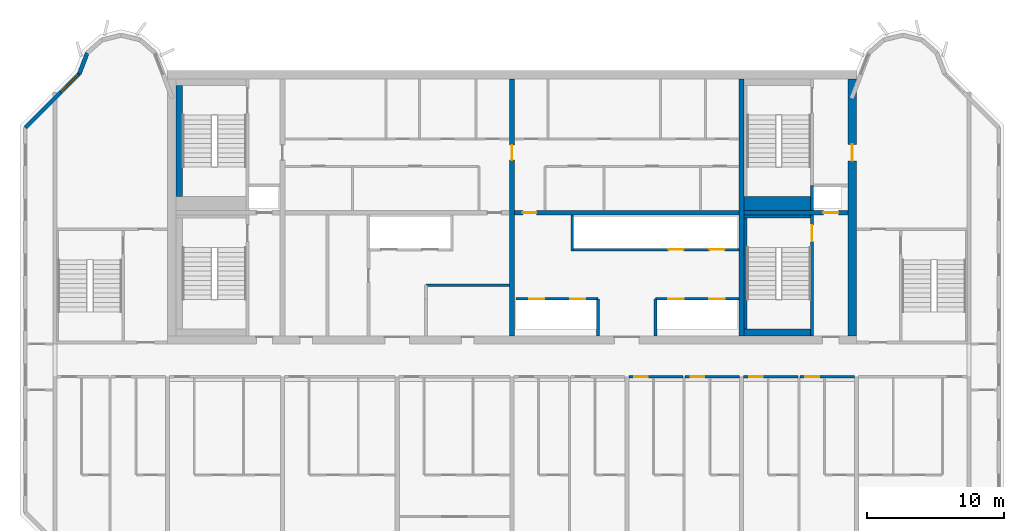
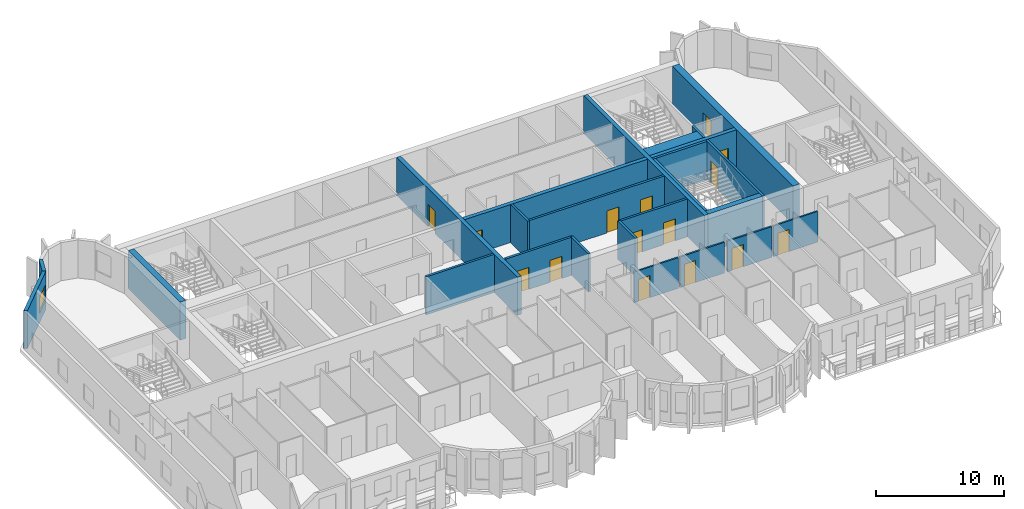
# One storey, part 6 of 11: 25 walls, 15 doors, 1 window, 16 openings.
"""IFC4 building model written with IfcOpenShell, lengths in metres."""

from ifc_helpers import new_model, si_unit, direction, frame, frame_2d, origin, place, context, subcontext, project, spatial, rectangle, extrude, source, transform, mapped, material, layer, layer_set, type_object, element, fill, save


model = new_model("IFC4")

# Units and contexts
model_context = context("Model", 3, precision=1e-05, world=origin(), true_north=direction((0.0, 1.0)))
body_context = subcontext(model_context, "Body", "Model", "MODEL_VIEW")
ifc_project = project(units=[si_unit("LENGTHUNIT", "METRE"), si_unit("AREAUNIT", "SQUARE_METRE"), si_unit("VOLUMEUNIT", "CUBIC_METRE"), si_unit("PLANEANGLEUNIT", "RADIAN"), si_unit("MASSUNIT", "GRAM", prefix="KILO")], contexts=[model_context])

# Site, building, storey
site_placement = place(None, origin())
site = spatial("IfcSite", under=ifc_project, at=site_placement, CompositionType="ELEMENT")
building_placement = place(site_placement, origin())
building = spatial("IfcBuilding", under=site, at=building_placement, Name="Vanashikhar Sky Hotel", CompositionType="ELEMENT")
storey_placement = place(building_placement, frame((0.0, 0.0, 217.89990234375)))
storey = spatial("IfcBuildingStorey", under=building, at=storey_placement, Name="L52", CompositionType="ELEMENT", Elevation=217.89990234375)

# Wall, opening, door
ifc_material_1 = material(Name="Concrete M60", Category="concrete")
ifc_layer_1 = layer(ifc_material_1, 0.60009765625)
ifc_layer_set_1 = layer_set([ifc_layer_1], Name="RC core shell wall 600 Concrete M60")
wall_type_1 = type_object("IfcWallType", Name="RC core shell wall 600 Concrete M60", PredefinedType="SHEAR", material=ifc_layer_set_1)
shared_shape_1 = source(origin(), body_context, "Body", "SweptSolid", [
    extrude(rectangle(XDim=18.7998046875, YDim=0.60009765625, at=frame_2d((9.39990234375, 0.0))), origin(), (0.0, 0.0, 1.0), 3.6201171875),
])
wall_1_placement = place(storey_placement, frame((75.300048828125, 22.60009765625, 0.0), z_axis=(0.0, 0.0, 1.0), x_axis=(0.0, 1.0, 0.0)))
wall_1 = element("IfcWall", 1, at=wall_1_placement, inside=storey, type_object=wall_type_1, Name="KW-L52-KE", PredefinedType="SHEAR", context=body_context, shape_type="MappedRepresentation", body=[
    mapped(shared_shape_1, transform((0.0, 0.0, 0.0), scale=1.0)),
])
shared_shape_2 = source(origin(), body_context, "Body", "SweptSolid", [
    extrude(rectangle(XDim=1.199951171875, YDim=2.10009765625, at=frame_2d((0.60009765625, 1.050048828125))), frame((0.0, 0.31005859375, 0.0), z_axis=(0.0, -1.0, 0.0), x_axis=(1.0, 0.0, 0.0)), (0.0, 0.0, 1.0), 0.6201171875),
])
opening_1_placement = place(wall_1_placement, frame((12.800048828125, 0.0, 0.0)))
opening_1 = element("IfcOpeningElement", 2, at=opening_1_placement, cuts=wall_1, Name="Opening DC-4-D", PredefinedType="OPENING", context=body_context, shape_type="MappedRepresentation", body=[
    mapped(shared_shape_2, transform((0.0, 0.0, 0.0), scale=1.0)),
])
ifc_material_2 = material(Name="Steel", Category="steel")
door_type_1 = type_object("IfcDoorType", Name="Service door 1200 FD120", OperationType="NOTDEFINED", PredefinedType="DOOR", material=ifc_material_2)
shared_shape_3 = source(origin(), body_context, "Body", "SweptSolid", [
    extrude(rectangle(XDim=1.199951171875, YDim=2.10009765625, at=frame_2d((0.60009765625, 1.050048828125))), frame((0.0, 0.02490234375, 0.0), z_axis=(0.0, -1.0, 0.0), x_axis=(1.0, 0.0, 0.0)), (0.0, 0.0, 1.0), 0.050048828125),
])
door_1_placement = place(opening_1_placement, origin())
door_1 = element("IfcDoor", 3, at=door_1_placement, inside=storey, type_object=door_type_1, Name="Service door 1200 FD120", OperationType="SINGLE_SWING_RIGHT", OverallHeight=2.10009765625, OverallWidth=1.199951171875, PredefinedType="DOOR", context=body_context, shape_type="MappedRepresentation", body=[
    mapped(shared_shape_3, transform((0.0, 0.0, 0.0), scale=1.0)),
])
fill(opening_1, door_1)

ifc_layer_2 = layer(ifc_material_1, 0.35009765625)
ifc_layer_set_2 = layer_set([ifc_layer_2], Name="RC core inner wall 350 Concrete M60")
wall_type_2 = type_object("IfcWallType", Name="RC core inner wall 350 Concrete M60", PredefinedType="SHEAR", material=ifc_layer_set_2)
shared_shape_4 = source(origin(), body_context, "Body", "SweptSolid", [
    extrude(rectangle(XDim=18.7998046875, YDim=0.35009765625, at=frame_2d((9.39990234375, 0.0))), origin(), (0.0, 0.0, 1.0), 3.6201171875),
])
wall_2_placement = place(storey_placement, frame((50.39990234375, 22.60009765625, 0.0), z_axis=(0.0, 0.0, 1.0), x_axis=(0.0, 1.0, 0.0)))
wall_2 = element("IfcWall", 4, at=wall_2_placement, inside=storey, type_object=wall_type_2, Name="KW-L52-KX2", PredefinedType="SHEAR", context=body_context, shape_type="MappedRepresentation", body=[
    mapped(shared_shape_4, transform((0.0, 0.0, 0.0), scale=1.0)),
])
shared_shape_5 = source(origin(), body_context, "Body", "SweptSolid", [
    extrude(rectangle(XDim=1.10009765625, YDim=2.10009765625, at=frame_2d((0.550048828125, 1.050048828125))), frame((0.0, 0.18505859375, 0.0), z_axis=(0.0, -1.0, 0.0), x_axis=(1.0, 0.0, 0.0)), (0.0, 0.0, 1.0), 0.3701171875),
])
opening_2_placement = place(wall_2_placement, frame((12.85009765625, 0.0, 0.0)))
opening_2 = element("IfcOpeningElement", 5, at=opening_2_placement, cuts=wall_2, Name="Opening DC-4-C", PredefinedType="OPENING", context=body_context, shape_type="MappedRepresentation", body=[
    mapped(shared_shape_5, transform((0.0, 0.0, 0.0), scale=1.0)),
])
door_type_2 = type_object("IfcDoorType", Name="Service door 1100 FD60", OperationType="NOTDEFINED", PredefinedType="DOOR", material=ifc_material_2)
shared_shape_6 = source(origin(), body_context, "Body", "SweptSolid", [
    extrude(rectangle(XDim=1.10009765625, YDim=2.10009765625, at=frame_2d((0.550048828125, 1.050048828125))), frame((0.0, 0.02490234375, 0.0), z_axis=(0.0, -1.0, 0.0), x_axis=(1.0, 0.0, 0.0)), (0.0, 0.0, 1.0), 0.050048828125),
])
door_2_placement = place(opening_2_placement, origin())
door_2 = element("IfcDoor", 6, at=door_2_placement, inside=storey, type_object=door_type_2, Name="Service door 1100 FD60", OperationType="SINGLE_SWING_LEFT", OverallHeight=2.10009765625, OverallWidth=1.10009765625, PredefinedType="DOOR", context=body_context, shape_type="MappedRepresentation", body=[
    mapped(shared_shape_6, transform((0.0, 0.0, 0.0), scale=1.0)),
])
fill(opening_2, door_2)

# Wall
wall_3_placement = place(storey_placement, frame((67.199951171875, 22.60009765625, 0.0), z_axis=(0.0, 0.0, 1.0), x_axis=(0.0, 1.0, 0.0)))
element("IfcWall", 7, at=wall_3_placement, inside=storey, type_object=wall_type_2, Name="KW-L52-KX3", PredefinedType="SHEAR", context=body_context, shape_type="MappedRepresentation", body=[
    mapped(shared_shape_4, transform((0.0, 0.0, 0.0), scale=1.0)),
])

# Wall, opening, door
shared_shape_7 = source(origin(), body_context, "Body", "SweptSolid", [
    extrude(rectangle(XDim=7.625, YDim=0.35009765625, at=frame_2d((3.8125, 0.0))), origin(), (0.0, 0.0, 1.0), 3.6201171875),
])
wall_4_placement = place(storey_placement, frame((67.375, 31.60009765625, 0.0), z_axis=(0.0, 0.0, 1.0), x_axis=(1.0, 0.0, 0.0)))
wall_4 = element("IfcWall", 8, at=wall_4_placement, inside=storey, type_object=wall_type_2, Name="KW-L52-KY4", PredefinedType="SHEAR", context=body_context, shape_type="MappedRepresentation", body=[
    mapped(shared_shape_7, transform((0.0, 0.0, 0.0), scale=1.0)),
])
opening_3_placement = place(wall_4_placement, frame((5.800048828125, 0.0, 0.0)))
opening_3 = element("IfcOpeningElement", 9, at=opening_3_placement, cuts=wall_4, Name="Opening LD", PredefinedType="OPENING", context=body_context, shape_type="MappedRepresentation", body=[
    mapped(shared_shape_5, transform((0.0, 0.0, 0.0), scale=1.0)),
])
ifc_material_3 = material(Name="Stainless steel", Category="steel")
door_type_3 = type_object("IfcDoorType", Name="Lift landing door 1100", OperationType="NOTDEFINED", PredefinedType="DOOR", material=ifc_material_3)
door_3_placement = place(opening_3_placement, origin())
door_3 = element("IfcDoor", 10, at=door_3_placement, inside=storey, type_object=door_type_3, Name="Lift landing door 1100", OperationType="SLIDING_TO_LEFT", OverallHeight=2.10009765625, OverallWidth=1.10009765625, PredefinedType="DOOR", context=body_context, shape_type="MappedRepresentation", body=[
    mapped(shared_shape_6, transform((0.0, 0.0, 0.0), scale=1.0)),
])
fill(opening_3, door_3)

shared_shape_8 = source(origin(), body_context, "Body", "SweptSolid", [
    extrude(rectangle(XDim=16.449951171875, YDim=0.35009765625, at=frame_2d((8.22509765625, 0.0))), origin(), (0.0, 0.0, 1.0), 3.6201171875),
])
wall_5_placement = place(storey_placement, frame((50.574951171875, 31.60009765625, 0.0), z_axis=(0.0, 0.0, 1.0), x_axis=(1.0, 0.0, 0.0)))
wall_5 = element("IfcWall", 11, at=wall_5_placement, inside=storey, type_object=wall_type_2, Name="KW-L52-KY3", PredefinedType="SHEAR", context=body_context, shape_type="MappedRepresentation", body=[
    mapped(shared_shape_8, transform((0.0, 0.0, 0.0), scale=1.0)),
])
shared_shape_9 = source(origin(), body_context, "Body", "SweptSolid", [
    extrude(rectangle(XDim=1.0, YDim=2.10009765625, at=frame_2d((0.5, 1.050048828125))), frame((0.0, 0.18505859375, 0.0), z_axis=(0.0, -1.0, 0.0), x_axis=(1.0, 0.0, 0.0)), (0.0, 0.0, 1.0), 0.3701171875),
])
opening_4_placement = place(wall_5_placement, frame((0.613037109375, 0.0, 0.0)))
opening_4 = element("IfcOpeningElement", 12, at=opening_4_placement, cuts=wall_5, Name="Opening DC-4", PredefinedType="OPENING", context=body_context, shape_type="MappedRepresentation", body=[
    mapped(shared_shape_9, transform((0.0, 0.0, 0.0), scale=1.0)),
])
door_type_4 = type_object("IfcDoorType", Name="Service door 1000 FD60", OperationType="NOTDEFINED", PredefinedType="DOOR", material=ifc_material_2)
shared_shape_10 = source(origin(), body_context, "Body", "SweptSolid", [
    extrude(rectangle(XDim=1.0, YDim=2.10009765625, at=frame_2d((0.5, 1.050048828125))), frame((0.0, 0.02490234375, 0.0), z_axis=(0.0, -1.0, 0.0), x_axis=(1.0, 0.0, 0.0)), (0.0, 0.0, 1.0), 0.050048828125),
])
door_4_placement = place(opening_4_placement, origin())
door_4 = element("IfcDoor", 13, at=door_4_placement, inside=storey, type_object=door_type_4, Name="Service door 1000 FD60", OperationType="SINGLE_SWING_RIGHT", OverallHeight=2.10009765625, OverallWidth=1.0, PredefinedType="DOOR", context=body_context, shape_type="MappedRepresentation", body=[
    mapped(shared_shape_10, transform((0.0, 0.0, 0.0), scale=1.0)),
])
fill(opening_4, door_4)

# Wall, opening, window
ifc_material_4 = material(Name="Concrete M50", Category="concrete")
ifc_layer_3 = layer(ifc_material_4, 0.300048828125)
ifc_layer_set_3 = layer_set([ifc_layer_3], Name="Lobe wall 300")
wall_type_3 = type_object("IfcWallType", Name="Lobe wall 300", PredefinedType="SOLIDWALL", material=ifc_layer_set_3)
shared_shape_11 = source(origin(), body_context, "Body", "SweptSolid", [
    extrude(rectangle(XDim=5.576416015625, YDim=0.300048828125, at=frame_2d((2.7880859375, 0.0))), origin(), (0.0, 0.0, 1.0), 3.6201171875),
])
wall_6_placement = place(storey_placement, frame((18.7431640625, 41.77734375, 0.0), z_axis=(0.0, 0.0, 1.0), x_axis=(-0.707106781187, -0.707106781187, 0.0)))
wall_6 = element("IfcWall", 14, at=wall_6_placement, inside=storey, type_object=wall_type_3, Name="Corner wall", PredefinedType="SOLIDWALL", context=body_context, shape_type="MappedRepresentation", body=[
    mapped(shared_shape_11, transform((0.0, 0.0, 0.0), scale=1.0)),
])
shared_shape_12 = source(origin(), body_context, "Body", "SweptSolid", [
    extrude(rectangle(XDim=1.800048828125, YDim=1.5, at=frame_2d((0.89990234375, 0.75))), frame((0.0, 0.16015625, 0.0), z_axis=(0.0, -1.0, 0.0), x_axis=(1.0, 0.0, 0.0)), (0.0, 0.0, 1.0), 0.320068359375),
])
opening_5_placement = place(wall_6_placement, frame((0.117919921875, 0.0, 0.89990234375)))
opening_5 = element("IfcOpeningElement", 15, at=opening_5_placement, cuts=wall_6, Name="Opening WN-4", PredefinedType="OPENING", context=body_context, shape_type="MappedRepresentation", body=[
    mapped(shared_shape_12, transform((0.0, 0.0, 0.0), scale=1.0)),
])
ifc_material_5 = material(Name="Glass", Category="glass")
window_type = type_object("IfcWindowType", Name="Corner window 1800 x 1500", PartitioningType="SINGLE_PANEL", PredefinedType="WINDOW", material=ifc_material_5)
shared_shape_13 = source(origin(), body_context, "Body", "SweptSolid", [
    extrude(rectangle(XDim=1.800048828125, YDim=1.5, at=frame_2d((0.89990234375, 0.75))), frame((0.0, 0.030029296875, 0.0), z_axis=(0.0, -1.0, 0.0), x_axis=(1.0, 0.0, 0.0)), (0.0, 0.0, 1.0), 0.06005859375),
])
window_placement = place(opening_5_placement, origin())
window = element("IfcWindow", 16, at=window_placement, inside=storey, type_object=window_type, Name="Window WN-4", OverallHeight=1.5, OverallWidth=1.800048828125, PartitioningType="SINGLE_PANEL", PredefinedType="WINDOW", context=body_context, shape_type="MappedRepresentation", body=[
    mapped(shared_shape_13, transform((0.0, 0.0, 0.0), scale=1.0)),
])
fill(opening_5, window)

# Wall
shared_shape_14 = source(origin(), body_context, "Body", "SweptSolid", [
    extrude(rectangle(XDim=1.6220703125, YDim=0.300048828125, at=frame_2d((0.81103515625, 0.0))), origin(), (0.0, 0.0, 1.0), 3.6201171875),
])
wall_7_placement = place(storey_placement, frame((19.323486328125, 43.2919921875, 0.0), z_axis=(0.0, 0.0, 1.0), x_axis=(-0.357778527068, -0.933806471154, 0.0)))
element("IfcWall", 17, at=wall_7_placement, inside=storey, type_object=wall_type_3, Name="Lobe wall", PredefinedType="SOLIDWALL", context=body_context, shape_type="MappedRepresentation", body=[
    mapped(shared_shape_14, transform((0.0, 0.0, 0.0), scale=1.0)),
])

# Wall, openings, doors
ifc_material_6 = material(Name="Concrete M40", Category="concrete")
ifc_layer_4 = layer(ifc_material_6, 0.199951171875)
ifc_layer_set_4 = layer_set([ifc_layer_4], Name="Shaft wall 200")
wall_type_4 = type_object("IfcWallType", Name="Shaft wall 200", PredefinedType="SOLIDWALL", material=ifc_layer_set_4)
shared_shape_15 = source(origin(), body_context, "Body", "SweptSolid", [
    extrude(rectangle(XDim=6.0, YDim=0.199951171875, at=frame_2d((3.0, 0.0))), origin(), (0.0, 0.0, 1.0), 3.6201171875),
])
wall_8_placement = place(storey_placement, frame((56.699951171875, 25.300048828125, 0.0), z_axis=(0.0, 0.0, 1.0), x_axis=(-1.0, 0.0, 0.0)))
wall_8 = element("IfcWall", 18, at=wall_8_placement, inside=storey, type_object=wall_type_4, Name="Shaft wall 200", PredefinedType="SOLIDWALL", context=body_context, shape_type="MappedRepresentation", body=[
    mapped(shared_shape_15, transform((0.0, 0.0, 0.0), scale=1.0)),
])
shared_shape_16 = source(origin(), body_context, "Body", "SweptSolid", [
    extrude(rectangle(XDim=1.10009765625, YDim=2.10009765625, at=frame_2d((0.550048828125, 1.050048828125))), frame((0.0, 0.10986328125, 0.0), z_axis=(0.0, -1.0, 0.0), x_axis=(1.0, 0.0, 0.0)), (0.0, 0.0, 1.0), 0.219970703125),
])
opening_6_placement = place(wall_8_placement, frame((0.949951171875, 0.0, 0.0)))
opening_6 = element("IfcOpeningElement", 19, at=opening_6_placement, cuts=wall_8, Name="Opening LD", PredefinedType="OPENING", context=body_context, shape_type="MappedRepresentation", body=[
    mapped(shared_shape_16, transform((0.0, 0.0, 0.0), scale=1.0)),
])
opening_7_placement = place(wall_8_placement, frame((3.949951171875, 0.0, 0.0)))
opening_7 = element("IfcOpeningElement", 20, at=opening_7_placement, cuts=wall_8, Name="Opening LD", PredefinedType="OPENING", context=body_context, shape_type="MappedRepresentation", body=[
    mapped(shared_shape_16, transform((0.0, 0.0, 0.0), scale=1.0)),
])
door_5_placement = place(opening_6_placement, origin())
door_5 = element("IfcDoor", 21, at=door_5_placement, inside=storey, type_object=door_type_3, Name="Lift landing door 1100", OperationType="SLIDING_TO_RIGHT", OverallHeight=2.10009765625, OverallWidth=1.10009765625, PredefinedType="DOOR", context=body_context, shape_type="MappedRepresentation", body=[
    mapped(shared_shape_6, transform((0.0, 0.0, 0.0), scale=1.0)),
])
fill(opening_6, door_5)
door_6_placement = place(opening_7_placement, origin())
door_6 = element("IfcDoor", 22, at=door_6_placement, inside=storey, type_object=door_type_3, Name="Lift landing door 1100", OperationType="SLIDING_TO_LEFT", OverallHeight=2.10009765625, OverallWidth=1.10009765625, PredefinedType="DOOR", context=body_context, shape_type="MappedRepresentation", body=[
    mapped(shared_shape_6, transform((0.0, 0.0, 0.0), scale=1.0)),
])
fill(opening_7, door_6)

# Walls
shared_shape_17 = source(origin(), body_context, "Body", "SweptSolid", [
    extrude(rectangle(XDim=2.699951171875, YDim=0.199951171875, at=frame_2d((1.35009765625, 0.0))), origin(), (0.0, 0.0, 1.0), 3.6201171875),
])
for number, where, z_axis, x_axis, name in (
    (23, (60.89990234375, 22.60009765625, 0.0), (0.0, 0.0, 1.0), (0.0, 1.0, 0.0), "Shaft wall 200"),
    (24, (56.699951171875, 22.60009765625, 0.0), (0.0, 0.0, 1.0), (0.0, 1.0, 0.0), "Shaft wall 200"),
):
    element("IfcWall", number, at=place(storey_placement, frame(where, z_axis=z_axis, x_axis=x_axis)), inside=storey, type_object=wall_type_4, Name=name, PredefinedType="SOLIDWALL", context=body_context, shape_type="MappedRepresentation", body=[
        mapped(shared_shape_17, transform((0.0, 0.0, 0.0), scale=1.0)),
    ])
shared_shape_18 = source(origin(), body_context, "Body", "SweptSolid", [
    extrude(rectangle(XDim=2.625, YDim=0.199951171875, at=frame_2d((1.3125, 0.0))), origin(), (0.0, 0.0, 1.0), 3.6201171875),
])
wall_9_placement = place(storey_placement, frame((54.800048828125, 28.800048828125, 0.0), z_axis=(0.0, 0.0, 1.0), x_axis=(0.0, 1.0, 0.0)))
element("IfcWall", 25, at=wall_9_placement, inside=storey, type_object=wall_type_4, Name="Shaft wall 200", PredefinedType="SOLIDWALL", context=body_context, shape_type="MappedRepresentation", body=[
    mapped(shared_shape_18, transform((0.0, 0.0, 0.0), scale=1.0)),
])
ifc_material_7 = material(Name="Gypsum board partition")
ifc_layer_5 = layer(ifc_material_7, 0.14990234375)
ifc_layer_set_5 = layer_set([ifc_layer_5], Name="Service partition 150")
wall_type_5 = type_object("IfcWallType", Name="Service partition 150", PredefinedType="PARTITIONING", material=ifc_layer_set_5)
shared_shape_19 = source(origin(), body_context, "Body", "SweptSolid", [
    extrude(rectangle(XDim=6.125, YDim=0.199951171875, at=frame_2d((3.0625, 0.0))), origin(), (0.0, 0.0, 1.0), 3.6201171875),
])
wall_10_placement = place(storey_placement, frame((44.10009765625, 26.300048828125, 0.0), z_axis=(0.0, 0.0, 1.0), x_axis=(1.0, 0.0, 0.0)))
element("IfcWall", 26, at=wall_10_placement, inside=storey, type_object=wall_type_5, Name="Service partition 150", PredefinedType="PARTITIONING", context=body_context, shape_type="MappedRepresentation", body=[
    mapped(shared_shape_19, transform((0.0, 0.0, 0.0), scale=1.0)),
])

# Wall, openings, doors
wall_11_placement = place(storey_placement, frame((67.02490234375, 25.300048828125, 0.0), z_axis=(0.0, 0.0, 1.0), x_axis=(-1.0, 0.0, 0.0)))
wall_11 = element("IfcWall", 27, at=wall_11_placement, inside=storey, type_object=wall_type_4, Name="Shaft wall 200", PredefinedType="SOLIDWALL", context=body_context, shape_type="MappedRepresentation", body=[
    mapped(shared_shape_19, transform((0.0, 0.0, 0.0), scale=1.0)),
])
opening_8_placement = place(wall_11_placement, frame((1.074951171875, 0.0, 0.0)))
opening_8 = element("IfcOpeningElement", 28, at=opening_8_placement, cuts=wall_11, Name="Opening LD", PredefinedType="OPENING", context=body_context, shape_type="MappedRepresentation", body=[
    mapped(shared_shape_16, transform((0.0, 0.0, 0.0), scale=1.0)),
])
opening_9_placement = place(wall_11_placement, frame((4.074951171875, 0.0, 0.0)))
opening_9 = element("IfcOpeningElement", 29, at=opening_9_placement, cuts=wall_11, Name="Opening LD", PredefinedType="OPENING", context=body_context, shape_type="MappedRepresentation", body=[
    mapped(shared_shape_16, transform((0.0, 0.0, 0.0), scale=1.0)),
])
door_7_placement = place(opening_8_placement, origin())
door_7 = element("IfcDoor", 30, at=door_7_placement, inside=storey, type_object=door_type_3, Name="Lift landing door 1100", OperationType="SLIDING_TO_RIGHT", OverallHeight=2.10009765625, OverallWidth=1.10009765625, PredefinedType="DOOR", context=body_context, shape_type="MappedRepresentation", body=[
    mapped(shared_shape_6, transform((0.0, 0.0, 0.0), scale=1.0)),
])
fill(opening_8, door_7)
door_8_placement = place(opening_9_placement, origin())
door_8 = element("IfcDoor", 31, at=door_8_placement, inside=storey, type_object=door_type_3, Name="Lift landing door 1100", OperationType="SLIDING_TO_LEFT", OverallHeight=2.10009765625, OverallWidth=1.10009765625, PredefinedType="DOOR", context=body_context, shape_type="MappedRepresentation", body=[
    mapped(shared_shape_6, transform((0.0, 0.0, 0.0), scale=1.0)),
])
fill(opening_9, door_8)

shared_shape_20 = source(origin(), body_context, "Body", "SweptSolid", [
    extrude(rectangle(XDim=12.125, YDim=0.199951171875, at=frame_2d((6.0625, 0.0))), origin(), (0.0, 0.0, 1.0), 3.6201171875),
])
wall_12_placement = place(storey_placement, frame((67.02490234375, 28.89990234375, 0.0), z_axis=(0.0, 0.0, 1.0), x_axis=(-1.0, 0.0, 0.0)))
wall_12 = element("IfcWall", 32, at=wall_12_placement, inside=storey, type_object=wall_type_4, Name="Shaft wall 200", PredefinedType="SOLIDWALL", context=body_context, shape_type="MappedRepresentation", body=[
    mapped(shared_shape_20, transform((0.0, 0.0, 0.0), scale=1.0)),
])
opening_10_placement = place(wall_12_placement, frame((1.074951171875, 0.0, 0.0)))
opening_10 = element("IfcOpeningElement", 33, at=opening_10_placement, cuts=wall_12, Name="Opening LD", PredefinedType="OPENING", context=body_context, shape_type="MappedRepresentation", body=[
    mapped(shared_shape_16, transform((0.0, 0.0, 0.0), scale=1.0)),
])
opening_11_placement = place(wall_12_placement, frame((4.074951171875, 0.0, 0.0)))
opening_11 = element("IfcOpeningElement", 34, at=opening_11_placement, cuts=wall_12, Name="Opening LD", PredefinedType="OPENING", context=body_context, shape_type="MappedRepresentation", body=[
    mapped(shared_shape_16, transform((0.0, 0.0, 0.0), scale=1.0)),
])
door_9_placement = place(opening_10_placement, origin())
door_9 = element("IfcDoor", 35, at=door_9_placement, inside=storey, type_object=door_type_3, Name="Lift landing door 1100", OperationType="SLIDING_TO_RIGHT", OverallHeight=2.10009765625, OverallWidth=1.10009765625, PredefinedType="DOOR", context=body_context, shape_type="MappedRepresentation", body=[
    mapped(shared_shape_6, transform((0.0, 0.0, 0.0), scale=1.0)),
])
fill(opening_10, door_9)
door_10_placement = place(opening_11_placement, origin())
door_10 = element("IfcDoor", 36, at=door_10_placement, inside=storey, type_object=door_type_3, Name="Lift landing door 1100", OperationType="SLIDING_TO_LEFT", OverallHeight=2.10009765625, OverallWidth=1.10009765625, PredefinedType="DOOR", context=body_context, shape_type="MappedRepresentation", body=[
    mapped(shared_shape_6, transform((0.0, 0.0, 0.0), scale=1.0)),
])
fill(opening_11, door_10)

# Wall, opening, door
ifc_layer_6 = layer(ifc_material_4, 0.199951171875)
ifc_layer_set_6 = layer_set([ifc_layer_6], Name="Stair wall 200")
wall_type_6 = type_object("IfcWallType", Name="Stair wall 200", PredefinedType="SOLIDWALL", material=ifc_layer_set_6)
shared_shape_21 = source(origin(), body_context, "Body", "SweptSolid", [
    extrude(rectangle(XDim=8.824951171875, YDim=0.199951171875, at=frame_2d((4.41259765625, 0.0))), origin(), (0.0, 0.0, 1.0), 3.6201171875),
])
wall_13_placement = place(storey_placement, frame((72.35009765625, 22.60009765625, 0.0), z_axis=(0.0, 0.0, 1.0), x_axis=(0.0, 1.0, 0.0)))
wall_13 = element("IfcWall", 37, at=wall_13_placement, inside=storey, type_object=wall_type_6, Name="Stair wall 200", PredefinedType="SOLIDWALL", context=body_context, shape_type="MappedRepresentation", body=[
    mapped(shared_shape_21, transform((0.0, 0.0, 0.0), scale=1.0)),
])
shared_shape_22 = source(origin(), body_context, "Body", "SweptSolid", [
    extrude(rectangle(XDim=1.199951171875, YDim=2.10009765625, at=frame_2d((0.60009765625, 1.050048828125))), frame((0.0, 0.10986328125, 0.0), z_axis=(0.0, -1.0, 0.0), x_axis=(1.0, 0.0, 0.0)), (0.0, 0.0, 1.0), 0.219970703125),
])
opening_12_placement = place(wall_13_placement, frame((6.89990234375, 0.0, 0.0)))
opening_12 = element("IfcOpeningElement", 38, at=opening_12_placement, cuts=wall_13, Name="Opening DC-1", PredefinedType="OPENING", context=body_context, shape_type="MappedRepresentation", body=[
    mapped(shared_shape_22, transform((0.0, 0.0, 0.0), scale=1.0)),
])
door_type_5 = type_object("IfcDoorType", Name="Stair door 1200 FD120", OperationType="NOTDEFINED", PredefinedType="DOOR", material=ifc_material_2)
door_11_placement = place(opening_12_placement, origin())
door_11 = element("IfcDoor", 39, at=door_11_placement, inside=storey, type_object=door_type_5, Name="Stair door 1200 FD120", OperationType="SINGLE_SWING_RIGHT", OverallHeight=2.10009765625, OverallWidth=1.199951171875, PredefinedType="DOOR", context=body_context, shape_type="MappedRepresentation", body=[
    mapped(shared_shape_3, transform((0.0, 0.0, 0.0), scale=1.0)),
])
fill(opening_12, door_11)

# Walls
shared_shape_23 = source(origin(), body_context, "Body", "SweptSolid", [
    extrude(rectangle(XDim=1.8251953125, YDim=0.199951171875, at=frame_2d((0.91259765625, 0.0))), origin(), (0.0, 0.0, 1.0), 3.6201171875),
])
wall_14_placement = place(storey_placement, frame((72.35009765625, 31.77490234375, 0.0), z_axis=(0.0, 0.0, 1.0), x_axis=(0.0, 1.0, 0.0)))
element("IfcWall", 40, at=wall_14_placement, inside=storey, type_object=wall_type_4, Name="Shaft wall 200", PredefinedType="SOLIDWALL", context=body_context, shape_type="MappedRepresentation", body=[
    mapped(shared_shape_23, transform((0.0, 0.0, 0.0), scale=1.0)),
])
ifc_layer_7 = layer(ifc_material_4, 0.5)
ifc_layer_set_7 = layer_set([ifc_layer_7], Name="Stair infill wall 500")
wall_type_7 = type_object("IfcWallType", Name="Stair infill wall 500", PredefinedType="SOLIDWALL", material=ifc_layer_set_7)
shared_shape_24 = source(origin(), body_context, "Body", "SweptSolid", [
    extrude(rectangle(XDim=8.099853515625, YDim=0.5, at=frame_2d((4.0498046875, 0.0))), origin(), (0.0, 0.0, 1.0), 3.6201171875),
])
wall_15_placement = place(storey_placement, frame((26.050048828125, 32.800048828125, 0.0), z_axis=(0.0, 0.0, 1.0), x_axis=(0.0, 1.0, 0.0)))
element("IfcWall", 41, at=wall_15_placement, inside=storey, type_object=wall_type_7, Name="Stair infill wall 500", PredefinedType="SOLIDWALL", context=body_context, shape_type="MappedRepresentation", body=[
    mapped(shared_shape_24, transform((0.0, 0.0, 0.0), scale=1.0)),
])
shared_shape_25 = source(origin(), body_context, "Body", "SweptSolid", [
    extrude(rectangle(XDim=4.875, YDim=0.5, at=frame_2d((2.4375, 0.0))), origin(), (0.0, 0.0, 1.0), 3.6201171875),
])
wall_16_placement = place(storey_placement, frame((67.375, 22.85009765625, 0.0), z_axis=(0.0, 0.0, 1.0), x_axis=(1.0, 0.0, 0.0)))
element("IfcWall", 42, at=wall_16_placement, inside=storey, type_object=wall_type_7, Name="Stair infill wall 500", PredefinedType="SOLIDWALL", context=body_context, shape_type="MappedRepresentation", body=[
    mapped(shared_shape_25, transform((0.0, 0.0, 0.0), scale=1.0)),
])
ifc_layer_8 = layer(ifc_material_4, 0.22509765625)
ifc_layer_set_8 = layer_set([ifc_layer_8], Name="Stair infill wall 225")
wall_type_8 = type_object("IfcWallType", Name="Stair infill wall 225", PredefinedType="SOLIDWALL", material=ifc_layer_set_8)
shared_shape_26 = source(origin(), body_context, "Body", "SweptSolid", [
    extrude(rectangle(XDim=4.875, YDim=0.22509765625, at=frame_2d((2.4375, 0.0))), origin(), (0.0, 0.0, 1.0), 3.6201171875),
])
wall_17_placement = place(storey_placement, frame((67.375, 31.31201171875, 0.0), z_axis=(0.0, 0.0, 1.0), x_axis=(1.0, 0.0, 0.0)))
element("IfcWall", 43, at=wall_17_placement, inside=storey, type_object=wall_type_8, Name="Stair infill wall 225", PredefinedType="SOLIDWALL", context=body_context, shape_type="MappedRepresentation", body=[
    mapped(shared_shape_26, transform((0.0, 0.0, 0.0), scale=1.0)),
])
shared_shape_27 = source(origin(), body_context, "Body", "SweptSolid", [
    extrude(rectangle(XDim=8.099853515625, YDim=0.22509765625, at=frame_2d((4.0498046875, 0.0))), origin(), (0.0, 0.0, 1.0), 3.6201171875),
])
wall_18_placement = place(storey_placement, frame((67.487060546875, 23.10009765625, 0.0), z_axis=(0.0, 0.0, 1.0), x_axis=(0.0, 1.0, 0.0)))
element("IfcWall", 44, at=wall_18_placement, inside=storey, type_object=wall_type_8, Name="Stair infill wall 225", PredefinedType="SOLIDWALL", context=body_context, shape_type="MappedRepresentation", body=[
    mapped(shared_shape_27, transform((0.0, 0.0, 0.0), scale=1.0)),
])
ifc_layer_9 = layer(ifc_material_4, 1.02490234375)
ifc_layer_set_9 = layer_set([ifc_layer_9], Name="Stair infill wall 1025")
wall_type_9 = type_object("IfcWallType", Name="Stair infill wall 1025", PredefinedType="SOLIDWALL", material=ifc_layer_set_9)
shared_shape_28 = source(origin(), body_context, "Body", "SweptSolid", [
    extrude(rectangle(XDim=4.875, YDim=1.02490234375, at=frame_2d((2.4375, 0.0))), origin(), (0.0, 0.0, 1.0), 3.6201171875),
])
wall_19_placement = place(storey_placement, frame((67.375, 32.287109375, 0.0), z_axis=(0.0, 0.0, 1.0), x_axis=(1.0, 0.0, 0.0)))
element("IfcWall", 45, at=wall_19_placement, inside=storey, type_object=wall_type_9, Name="Stair infill wall 1025", PredefinedType="SOLIDWALL", context=body_context, shape_type="MappedRepresentation", body=[
    mapped(shared_shape_28, transform((0.0, 0.0, 0.0), scale=1.0)),
])

# Wall, opening, door
ifc_material_8 = material(Name="Gypsum plasterboard partition")
ifc_layer_10 = layer(ifc_material_8, 0.14990234375)
ifc_layer_set_10 = layer_set([ifc_layer_10], Name="Corridor and demising partition 150")
wall_type_10 = type_object("IfcWallType", Name="Corridor and demising partition 150", PredefinedType="PARTITIONING", material=ifc_layer_set_10)
shared_shape_29 = source(origin(), body_context, "Body", "SweptSolid", [
    extrude(rectangle(XDim=3.97509765625, YDim=0.14990234375, at=frame_2d((1.987548828125, 0.0))), origin(), (0.0, 0.0, 1.0), 2.920166015625),
])
wall_20_placement = place(storey_placement, frame((58.949951171875, 19.60009765625, 0.0), z_axis=(0.0, 0.0, 1.0), x_axis=(1.0, 0.0, 0.0)))
wall_20 = element("IfcWall", 46, at=wall_20_placement, inside=storey, type_object=wall_type_10, Name="W-L52-PW033", PredefinedType="PARTITIONING", context=body_context, shape_type="MappedRepresentation", body=[
    mapped(shared_shape_29, transform((0.0, 0.0, 0.0), scale=1.0)),
])
shared_shape_30 = source(origin(), body_context, "Body", "SweptSolid", [
    extrude(rectangle(XDim=1.0, YDim=2.10009765625, at=frame_2d((0.5, 1.050048828125))), frame((0.0, 0.0849609375, 0.0), z_axis=(0.0, -1.0, 0.0), x_axis=(1.0, 0.0, 0.0)), (0.0, 0.0, 1.0), 0.169921875),
])
opening_13_placement = place(wall_20_placement, frame((0.39990234375, 0.0, 0.0)))
opening_13 = element("IfcOpeningElement", 47, at=opening_13_placement, cuts=wall_20, Name="Opening D-01", PredefinedType="OPENING", context=body_context, shape_type="MappedRepresentation", body=[
    mapped(shared_shape_30, transform((0.0, 0.0, 0.0), scale=1.0)),
])
ifc_material_9 = material(Name="Timber fire door", Category="wood")
door_type_6 = type_object("IfcDoorType", Name="Guest entry door 1000 FD30S", OperationType="NOTDEFINED", PredefinedType="DOOR", material=ifc_material_9)
door_12_placement = place(opening_13_placement, origin())
door_12 = element("IfcDoor", 48, at=door_12_placement, inside=storey, type_object=door_type_6, Name="D-L52-020", OperationType="SINGLE_SWING_LEFT", OverallHeight=2.10009765625, OverallWidth=1.0, PredefinedType="DOOR", context=body_context, shape_type="MappedRepresentation", body=[
    mapped(shared_shape_10, transform((0.0, 0.0, 0.0), scale=1.0)),
])
fill(opening_13, door_12)

wall_21_placement = place(storey_placement, frame((63.074951171875, 19.60009765625, 0.0), z_axis=(0.0, 0.0, 1.0), x_axis=(1.0, 0.0, 0.0)))
wall_21 = element("IfcWall", 49, at=wall_21_placement, inside=storey, type_object=wall_type_10, Name="W-L52-PW036", PredefinedType="PARTITIONING", context=body_context, shape_type="MappedRepresentation", body=[
    mapped(shared_shape_29, transform((0.0, 0.0, 0.0), scale=1.0)),
])
opening_14_placement = place(wall_21_placement, frame((0.39990234375, 0.0, 0.0)))
opening_14 = element("IfcOpeningElement", 50, at=opening_14_placement, cuts=wall_21, Name="Opening D-01", PredefinedType="OPENING", context=body_context, shape_type="MappedRepresentation", body=[
    mapped(shared_shape_30, transform((0.0, 0.0, 0.0), scale=1.0)),
])
door_13_placement = place(opening_14_placement, origin())
door_13 = element("IfcDoor", 51, at=door_13_placement, inside=storey, type_object=door_type_6, Name="D-L52-022", OperationType="SINGLE_SWING_LEFT", OverallHeight=2.10009765625, OverallWidth=1.0, PredefinedType="DOOR", context=body_context, shape_type="MappedRepresentation", body=[
    mapped(shared_shape_10, transform((0.0, 0.0, 0.0), scale=1.0)),
])
fill(opening_14, door_13)

shared_shape_31 = source(origin(), body_context, "Body", "SweptSolid", [
    extrude(rectangle(XDim=3.974853515625, YDim=0.14990234375, at=frame_2d((1.9873046875, 0.0))), origin(), (0.0, 0.0, 1.0), 2.920166015625),
])
wall_22_placement = place(storey_placement, frame((67.35009765625, 19.60009765625, 0.0), z_axis=(0.0, 0.0, 1.0), x_axis=(1.0, 0.0, 0.0)))
wall_22 = element("IfcWall", 52, at=wall_22_placement, inside=storey, type_object=wall_type_10, Name="W-L52-PW040", PredefinedType="PARTITIONING", context=body_context, shape_type="MappedRepresentation", body=[
    mapped(shared_shape_31, transform((0.0, 0.0, 0.0), scale=1.0)),
])
opening_15_placement = place(wall_22_placement, frame((0.39990234375, 0.0, 0.0)))
opening_15 = element("IfcOpeningElement", 53, at=opening_15_placement, cuts=wall_22, Name="Opening D-01", PredefinedType="OPENING", context=body_context, shape_type="MappedRepresentation", body=[
    mapped(shared_shape_30, transform((0.0, 0.0, 0.0), scale=1.0)),
])
door_14_placement = place(opening_15_placement, origin())
door_14 = element("IfcDoor", 54, at=door_14_placement, inside=storey, type_object=door_type_6, Name="D-L52-024", OperationType="SINGLE_SWING_LEFT", OverallHeight=2.10009765625, OverallWidth=1.0, PredefinedType="DOOR", context=body_context, shape_type="MappedRepresentation", body=[
    mapped(shared_shape_10, transform((0.0, 0.0, 0.0), scale=1.0)),
])
fill(opening_15, door_14)

wall_23_placement = place(storey_placement, frame((71.47509765625, 19.60009765625, 0.0), z_axis=(0.0, 0.0, 1.0), x_axis=(1.0, 0.0, 0.0)))
wall_23 = element("IfcWall", 55, at=wall_23_placement, inside=storey, type_object=wall_type_10, Name="W-L52-PW043", PredefinedType="PARTITIONING", context=body_context, shape_type="MappedRepresentation", body=[
    mapped(shared_shape_31, transform((0.0, 0.0, 0.0), scale=1.0)),
])
opening_16_placement = place(wall_23_placement, frame((0.39990234375, 0.0, 0.0)))
opening_16 = element("IfcOpeningElement", 56, at=opening_16_placement, cuts=wall_23, Name="Opening D-01", PredefinedType="OPENING", context=body_context, shape_type="MappedRepresentation", body=[
    mapped(shared_shape_30, transform((0.0, 0.0, 0.0), scale=1.0)),
])
door_15_placement = place(opening_16_placement, origin())
door_15 = element("IfcDoor", 57, at=door_15_placement, inside=storey, type_object=door_type_6, Name="D-L52-026", OperationType="SINGLE_SWING_LEFT", OverallHeight=2.10009765625, OverallWidth=1.0, PredefinedType="DOOR", context=body_context, shape_type="MappedRepresentation", body=[
    mapped(shared_shape_10, transform((0.0, 0.0, 0.0), scale=1.0)),
])
fill(opening_16, door_15)

save(model, "model.ifc")
